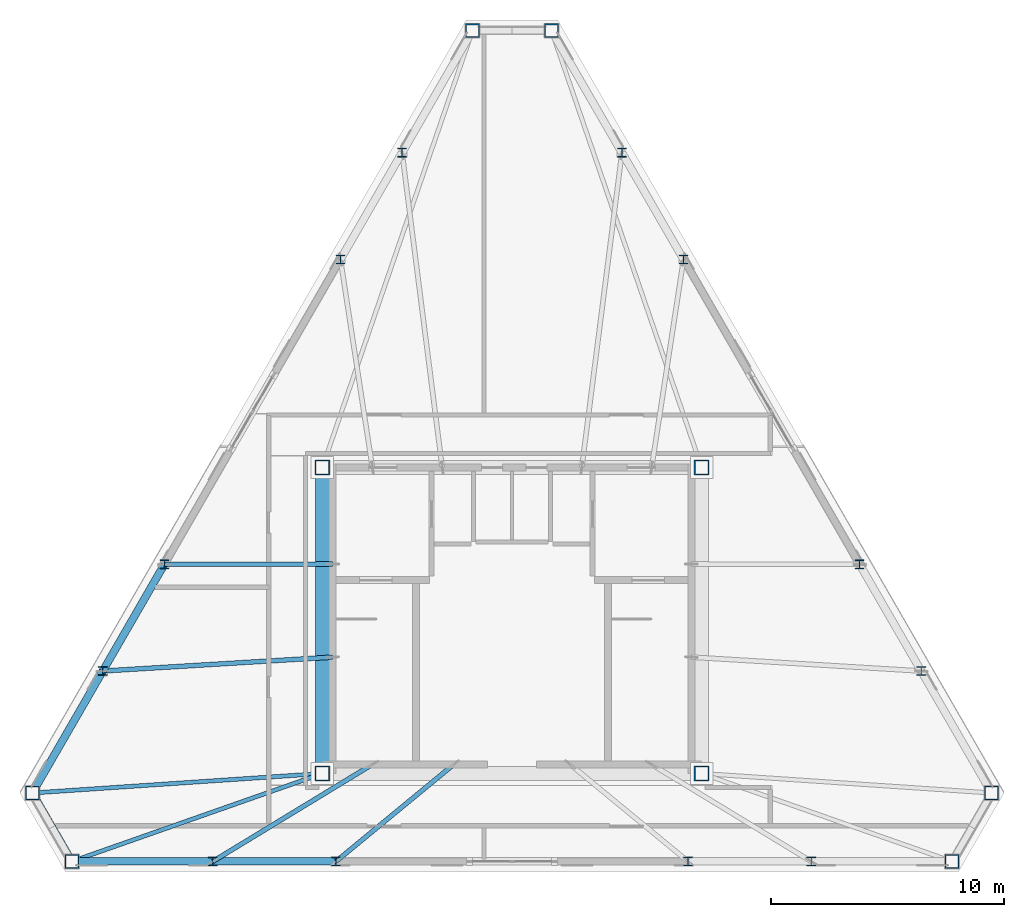
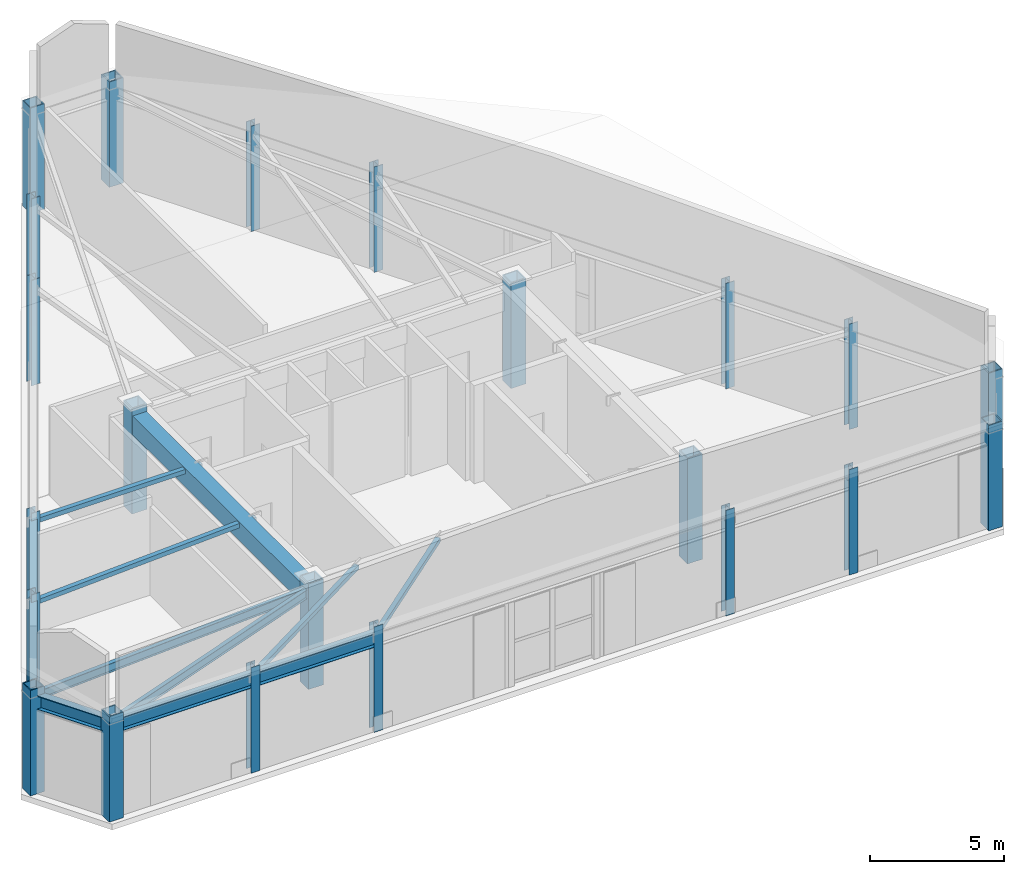
# One storey, part 1 of 11: 22 columns, 8 beams, 4 members.
"""IFC4 building model written with IfcOpenShell, lengths in metres."""

from ifc_helpers import new_model, si_unit, direction, frame, origin, origin_2d, place, context, subcontext, project, spatial, rectangle, hollow_rectangle, i_section, extrude, material, material_profile, profile_set, type_object, element, save


model = new_model("IFC4")

# Units and contexts
model_context = context("Model", 3, precision=1e-05, world=origin(), true_north=direction((0.0, 1.0)))
body_context = subcontext(model_context, "Body", "Model", "MODEL_VIEW")
ifc_project = project(units=[si_unit("LENGTHUNIT", "METRE"), si_unit("AREAUNIT", "SQUARE_METRE"), si_unit("VOLUMEUNIT", "CUBIC_METRE"), si_unit("PLANEANGLEUNIT", "RADIAN"), si_unit("MASSUNIT", "GRAM", prefix="KILO")], contexts=[model_context])

# Site, building, storey
site_placement = place(None, origin())
site = spatial("IfcSite", under=ifc_project, at=site_placement, CompositionType="ELEMENT")
building_placement = place(site_placement, origin())
building = spatial("IfcBuilding", under=site, at=building_placement, Name="Oramaril Tower", CompositionType="ELEMENT")
storey_placement = place(building_placement, frame((0.0, 0.0, 318.89990234375)))
storey = spatial("IfcBuildingStorey", under=building, at=storey_placement, Name="L83", CompositionType="ELEMENT", Elevation=318.89990234375)

# Columns
ifc_material_1 = material(Name="Steel ASTM A572 Gr 50", Category="steel")
ifc_material_profile_1 = material_profile(ifc_material_1, hollow_rectangle(XDim=0.64990234375, YDim=0.64990234375, WallThickness=0.050048828125, at=origin_2d()), Name="BOX650X650X50")
ifc_profile_set_1 = profile_set([ifc_material_profile_1], Name="Steel ASTM A572 Gr 50")
column_type_1 = type_object("IfcColumnType", Name="CT-CC5", PredefinedType="COLUMN", material=ifc_profile_set_1)
for number, where, z_axis, x_axis, name in (
    (1, (29.35009765625, 11.0, 0.0), (0.0, 0.0, 1.0), (1.0, 0.0, 0.0), "L83 Core Column CC-1"),
    (2, (45.64990234375, 11.0, 0.0), (0.0, 0.0, 1.0), (1.0, 0.0, 0.0), "L83 Core Column CC-2"),
    (3, (45.64990234375, 24.14990234375, 0.0), (0.0, 0.0, 1.0), (1.0, 0.0, 0.0), "L83 Core Column CC-3"),
    (4, (29.35009765625, 24.14990234375, 0.0), (0.0, 0.0, 1.0), (1.0, 0.0, 0.0), "L83 Core Column CC-4"),
):
    element("IfcColumn", number, at=place(storey_placement, frame(where, z_axis=z_axis, x_axis=x_axis)), inside=storey, type_object=column_type_1, Name=name, PredefinedType="COLUMN", context=body_context, shape_type="SweptSolid", body=[
        extrude(hollow_rectangle(XDim=0.64990234375, YDim=0.64990234375, WallThickness=0.050048828125, at=origin_2d()), origin(), (0.0, 0.0, 1.0), 4.800048828125),
    ])
ifc_material_2 = material(Name="Steel ASTM A572 Gr 50", Category="steel")
ifc_material_profile_2 = material_profile(ifc_material_2, hollow_rectangle(XDim=0.60009765625, YDim=0.60009765625, WallThickness=0.044921875, at=origin_2d()), Name="BOX600X600X45")
ifc_profile_set_2 = profile_set([ifc_material_profile_2], Name="Steel ASTM A572 Gr 50")
column_type_2 = type_object("IfcColumnType", Name="CT-TC5", PredefinedType="COLUMN", material=ifc_profile_set_2)
for number, where, z_axis, x_axis, name in (
    (5, (16.88818359375, 10.160888671875, 0.004638671875), (0.0, 0.0, 1.0), (1.0, 0.0, 0.0), "L83 Tube Column TC-01"),
    (6, (18.586669921875, 7.218994140625, 0.004638671875), (0.0, 0.0, 1.0), (1.0, 0.0, 0.0), "L83 Tube Column TC-02"),
    (7, (56.413330078125, 7.218994140625, 0.004638671875), (0.0, 0.0, 1.0), (1.0, 0.0, 0.0), "L83 Tube Column TC-03"),
    (8, (58.11181640625, 10.160888671875, 0.004638671875), (0.0, 0.0, 1.0), (1.0, 0.0, 0.0), "L83 Tube Column TC-04"),
    (9, (39.198486328125, 42.919921875, 0.004638671875), (0.0, 0.0, 1.0), (1.0, 0.0, 0.0), "L83 Tube Column TC-05"),
    (10, (35.801513671875, 42.919921875, 0.004638671875), (0.0, 0.0, 1.0), (1.0, 0.0, 0.0), "L83 Tube Column TC-06"),
):
    element("IfcColumn", number, at=place(storey_placement, frame(where, z_axis=z_axis, x_axis=x_axis)), inside=storey, type_object=column_type_2, Name=name, PredefinedType="COLUMN", context=body_context, shape_type="SweptSolid", body=[
        extrude(hollow_rectangle(XDim=0.60009765625, YDim=0.60009765625, WallThickness=0.044921875, at=origin_2d()), origin(), (0.0, 0.0, 1.0), 4.79541015625),
    ])
ifc_material_3 = material(Name="Steel ASTM A572 Gr 50", Category="steel")
ifc_material_profile_3 = material_profile(ifc_material_3, i_section(OverallWidth=0.373046875, OverallDepth=0.373046875, WebThickness=0.016357421875, FlangeThickness=0.026123046875, at=origin_2d()), Name="W14X132")
ifc_profile_set_3 = profile_set([ifc_material_profile_3], Name="Steel ASTM A572 Gr 50")
column_type_3 = type_object("IfcColumnType", Name="CT-TF5", PredefinedType="COLUMN", material=ifc_profile_set_3)
for number, where, z_axis, x_axis, name in (
    (11, (24.638916015625, 7.218994140625, 0.004638671875), (0.0, 0.0, 1.0), (1.0, 0.0, 0.0), "L83 Tube Column TC-07"),
    (12, (29.9345703125, 7.218994140625, 0.004638671875), (0.0, 0.0, 1.0), (1.0, 0.0, 0.0), "L83 Tube Column TC-08"),
    (13, (45.0654296875, 7.218994140625, 0.004638671875), (0.0, 0.0, 1.0), (1.0, 0.0, 0.0), "L83 Tube Column TC-09"),
    (14, (50.361083984375, 7.218994140625, 0.004638671875), (0.0, 0.0, 1.0), (1.0, 0.0, 0.0), "L83 Tube Column TC-10"),
    (15, (55.085693359375, 15.40234375, 0.004638671875), (0.0, 0.0, 1.0), (1.0, 0.0, 0.0), "L83 Tube Column TC-11"),
    (16, (52.43798828125, 19.98876953125, 0.004638671875), (0.0, 0.0, 1.0), (1.0, 0.0, 0.0), "L83 Tube Column TC-12"),
    (17, (44.87255859375, 33.09228515625, 0.004638671875), (0.0, 0.0, 1.0), (1.0, 0.0, 0.0), "L83 Tube Column TC-13"),
    (18, (42.224609375, 37.6787109375, 0.004638671875), (0.0, 0.0, 1.0), (1.0, 0.0, 0.0), "L83 Tube Column TC-14"),
    (19, (32.775390625, 37.6787109375, 0.004638671875), (0.0, 0.0, 1.0), (1.0, 0.0, 0.0), "L83 Tube Column TC-15"),
    (20, (30.12744140625, 33.09228515625, 0.004638671875), (0.0, 0.0, 1.0), (1.0, 0.0, 0.0), "L83 Tube Column TC-16"),
    (21, (22.56201171875, 19.98876953125, 0.004638671875), (0.0, 0.0, 1.0), (1.0, 0.0, 0.0), "L83 Tube Column TC-17"),
    (22, (19.914306640625, 15.40234375, 0.004638671875), (0.0, 0.0, 1.0), (1.0, 0.0, 0.0), "L83 Tube Column TC-18"),
):
    element("IfcColumn", number, at=place(storey_placement, frame(where, z_axis=z_axis, x_axis=x_axis)), inside=storey, type_object=column_type_3, Name=name, PredefinedType="COLUMN", context=body_context, shape_type="SweptSolid", body=[
        extrude(i_section(OverallWidth=0.373046875, OverallDepth=0.373046875, WebThickness=0.016357421875, FlangeThickness=0.026123046875, at=origin_2d()), origin(), (0.0, 0.0, 1.0), 4.79541015625),
    ])

# Beams
ifc_material_4 = material(Name="Concrete C50/60", Category="concrete")
ifc_material_profile_4 = material_profile(ifc_material_4, rectangle(XDim=0.60009765625, YDim=0.85009765625, at=origin_2d()), Name="CB600X850")
ifc_profile_set_4 = profile_set([ifc_material_profile_4], Name="Concrete C50/60")
beam_type_1 = type_object("IfcBeamType", Name="BT-CB2", PredefinedType="BEAM", material=ifc_profile_set_4)
beam_1_placement = place(storey_placement, frame((29.35009765625, 24.14990234375, 4.03515625), z_axis=(0.0, -1.0, 0.0), x_axis=(1.0, 0.0, 0.0)))
element("IfcBeam", 23, at=beam_1_placement, inside=storey, type_object=beam_type_1, Name="L83 Core Header Beam CB-4", PredefinedType="BEAM", context=body_context, shape_type="SweptSolid", body=[
    extrude(rectangle(XDim=0.60009765625, YDim=0.85009765625, at=origin_2d()), origin(), (0.0, 0.0, 1.0), 13.14990234375),
])
ifc_material_5 = material(Name="Steel ASTM A572 Gr 50", Category="steel")
ifc_material_profile_5 = material_profile(ifc_material_5, i_section(OverallWidth=0.177978515625, OverallDepth=0.404052734375, WebThickness=0.007568359375, FlangeThickness=0.010986328125, at=origin_2d()), Name="W16X36")
ifc_profile_set_5 = profile_set([ifc_material_profile_5], Name="Steel ASTM A572 Gr 50")
beam_type_2 = type_object("IfcBeamType", Name="BT-SB1", PredefinedType="BEAM", material=ifc_profile_set_5)
beam_2_placement = place(storey_placement, frame((29.35009765625, 11.0, 4.258056640625), z_axis=(-0.997740741367, -0.067181939661, 0.0), x_axis=(0.067181939661, -0.997740741367, 0.0)))
element("IfcBeam", 24, at=beam_2_placement, inside=storey, type_object=beam_type_2, Name="L83 Radial Primary Beam RB-01", PredefinedType="BEAM", context=body_context, shape_type="SweptSolid", body=[
    extrude(i_section(OverallWidth=0.177978515625, OverallDepth=0.404052734375, WebThickness=0.007568359375, FlangeThickness=0.010986328125, at=origin_2d()), origin(), (0.0, 0.0, 1.0), 12.490234375),
])
beam_3_placement = place(storey_placement, frame((29.35009765625, 11.0, 4.258056640625), z_axis=(-0.943480397326, -0.331428332919, 0.0), x_axis=(0.331428332919, -0.943480397326, 0.0)))
element("IfcBeam", 25, at=beam_3_placement, inside=storey, type_object=beam_type_2, Name="L83 Radial Primary Beam RB-02", PredefinedType="BEAM", context=body_context, shape_type="SweptSolid", body=[
    extrude(i_section(OverallWidth=0.177978515625, OverallDepth=0.404052734375, WebThickness=0.007568359375, FlangeThickness=0.010986328125, at=origin_2d()), origin(), (0.0, 0.0, 1.0), 11.408203125),
])
ifc_material_6 = material(Name="Steel ASTM A572 Gr 50", Category="steel")
ifc_material_profile_6 = material_profile(ifc_material_6, i_section(OverallWidth=0.324951171875, OverallDepth=0.612060546875, WebThickness=0.0126953125, FlangeThickness=0.01904296875, at=origin_2d()), Name="W24X104")
ifc_profile_set_6 = profile_set([ifc_material_profile_6], Name="Steel ASTM A572 Gr 50")
beam_type_3 = type_object("IfcBeamType", Name="BT-SP5", PredefinedType="SPANDREL", material=ifc_profile_set_6)
beam_4_placement = place(storey_placement, frame((16.88818359375, 10.160888671875, 4.154052734375), z_axis=(0.499996186757, -0.86602760535, 0.0), x_axis=(0.86602760535, 0.499996186757, 0.0)))
element("IfcBeam", 26, at=beam_4_placement, inside=storey, type_object=beam_type_3, Name="L83 Perimeter Spandrel 01", PredefinedType="SPANDREL", context=body_context, shape_type="SweptSolid", body=[
    extrude(i_section(OverallWidth=0.324951171875, OverallDepth=0.612060546875, WebThickness=0.0126953125, FlangeThickness=0.01904296875, at=origin_2d()), origin(), (0.0, 0.0, 1.0), 3.39697265625),
])
beam_5_placement = place(storey_placement, frame((18.586669921875, 7.218994140625, 4.154052734375), z_axis=(1.0, 0.0, 0.0), x_axis=(0.0, 1.0, 0.0)))
element("IfcBeam", 27, at=beam_5_placement, inside=storey, type_object=beam_type_3, Name="L83 Perimeter Spandrel 02", PredefinedType="SPANDREL", context=body_context, shape_type="SweptSolid", body=[
    extrude(i_section(OverallWidth=0.324951171875, OverallDepth=0.612060546875, WebThickness=0.0126953125, FlangeThickness=0.01904296875, at=origin_2d()), origin(), (0.0, 0.0, 1.0), 6.05224609375),
])
beam_6_placement = place(storey_placement, frame((24.638916015625, 7.218994140625, 4.154052734375), z_axis=(1.0, 0.0, 0.0), x_axis=(0.0, 1.0, 0.0)))
element("IfcBeam", 28, at=beam_6_placement, inside=storey, type_object=beam_type_3, Name="L83 Perimeter Spandrel 03", PredefinedType="SPANDREL", context=body_context, shape_type="SweptSolid", body=[
    extrude(i_section(OverallWidth=0.324951171875, OverallDepth=0.612060546875, WebThickness=0.0126953125, FlangeThickness=0.01904296875, at=origin_2d()), origin(), (0.0, 0.0, 1.0), 5.295654296875),
])
beam_7_placement = place(storey_placement, frame((22.56201171875, 19.98876953125, 4.154052734375), z_axis=(-0.499961891874, -0.866047404403, 0.0), x_axis=(0.866047404403, -0.499961891874, 0.0)))
element("IfcBeam", 29, at=beam_7_placement, inside=storey, type_object=beam_type_3, Name="L83 Perimeter Spandrel 17", PredefinedType="SPANDREL", context=body_context, shape_type="SweptSolid", body=[
    extrude(i_section(OverallWidth=0.324951171875, OverallDepth=0.612060546875, WebThickness=0.0126953125, FlangeThickness=0.01904296875, at=origin_2d()), origin(), (0.0, 0.0, 1.0), 5.2958984375),
])
beam_8_placement = place(storey_placement, frame((19.914306640625, 15.40234375, 4.154052734375), z_axis=(-0.499995978368, -0.866027725662, 0.0), x_axis=(0.866027725662, -0.499995978368, 0.0)))
element("IfcBeam", 30, at=beam_8_placement, inside=storey, type_object=beam_type_3, Name="L83 Perimeter Spandrel 18", PredefinedType="SPANDREL", context=body_context, shape_type="SweptSolid", body=[
    extrude(i_section(OverallWidth=0.324951171875, OverallDepth=0.612060546875, WebThickness=0.0126953125, FlangeThickness=0.01904296875, at=origin_2d()), origin(), (0.0, 0.0, 1.0), 6.05224609375),
])

# Members
ifc_material_7 = material(Name="Steel ASTM A572 Gr 50", Category="steel")
ifc_material_profile_7 = material_profile(ifc_material_7, hollow_rectangle(XDim=0.199951171875, YDim=0.199951171875, WallThickness=0.010009765625, at=origin_2d()), Name="HSS200X200X10")
ifc_profile_set_7 = profile_set([ifc_material_profile_7], Name="Steel ASTM A572 Gr 50")
member_type = type_object("IfcMemberType", Name="MT-RF1", PredefinedType="RAFTER", material=ifc_profile_set_7)
member_1_placement = place(storey_placement, frame((24.638916015625, 7.218994140625, 4.31005859375), z_axis=(0.854497859944, 0.519454913685, 0.0), x_axis=(-0.519454913685, 0.854497859944, 0.0)))
element("IfcMember", 31, at=member_1_placement, inside=storey, type_object=member_type, Name="L83 Crown Roof Rafter RF-01", PredefinedType="RAFTER", context=body_context, shape_type="SweptSolid", body=[
    extrude(hollow_rectangle(XDim=0.199951171875, YDim=0.199951171875, WallThickness=0.010009765625, at=origin_2d()), origin(), (0.0, 0.0, 1.0), 8.029296875),
])
member_2_placement = place(storey_placement, frame((29.9345703125, 7.218994140625, 4.31005859375), z_axis=(0.771977490617, 0.635649867443, 0.0), x_axis=(-0.635649867443, 0.771977490617, 0.0)))
element("IfcMember", 32, at=member_2_placement, inside=storey, type_object=member_type, Name="L83 Crown Roof Rafter RF-02", PredefinedType="RAFTER", context=body_context, shape_type="SweptSolid", body=[
    extrude(hollow_rectangle(XDim=0.199951171875, YDim=0.199951171875, WallThickness=0.010009765625, at=origin_2d()), origin(), (0.0, 0.0, 1.0), 6.5615234375),
])
member_3_placement = place(storey_placement, frame((22.56201171875, 19.98876953125, 4.31005859375), z_axis=(0.99999879295, 0.001553737231, 0.0), x_axis=(-0.001553737231, 0.99999879295, 0.0)))
element("IfcMember", 33, at=member_3_placement, inside=storey, type_object=member_type, Name="L83 Crown Roof Rafter RF-11", PredefinedType="RAFTER", context=body_context, shape_type="SweptSolid", body=[
    extrude(hollow_rectangle(XDim=0.199951171875, YDim=0.199951171875, WallThickness=0.010009765625, at=origin_2d()), origin(), (0.0, 0.0, 1.0), 7.22802734375),
])
member_4_placement = place(storey_placement, frame((19.914306640625, 15.40234375, 4.31005859375), z_axis=(0.998173820815, 0.060407147249, 0.0), x_axis=(-0.060407147249, 0.998173820815, 0.0)))
element("IfcMember", 34, at=member_4_placement, inside=storey, type_object=member_type, Name="L83 Crown Roof Rafter RF-12", PredefinedType="RAFTER", context=body_context, shape_type="SweptSolid", body=[
    extrude(hollow_rectangle(XDim=0.199951171875, YDim=0.199951171875, WallThickness=0.010009765625, at=origin_2d()), origin(), (0.0, 0.0, 1.0), 9.893798828125),
])

save(model, "model.ifc")
